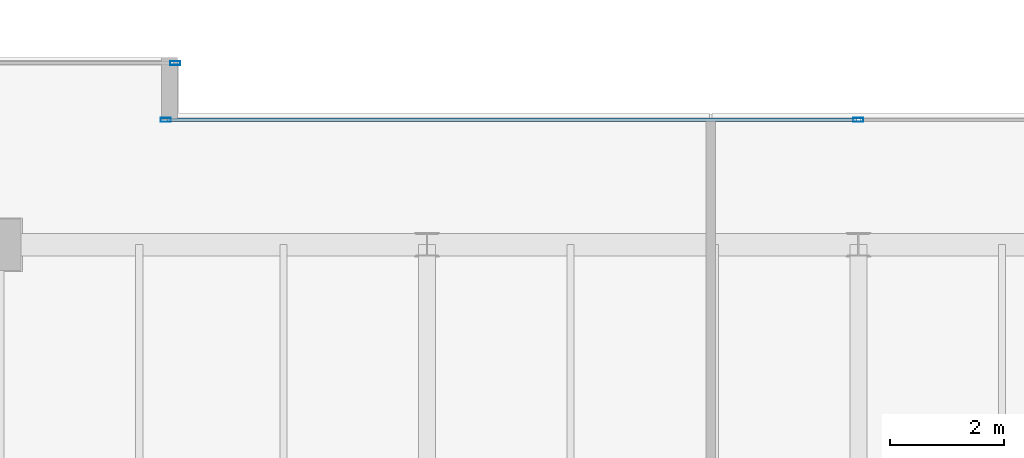
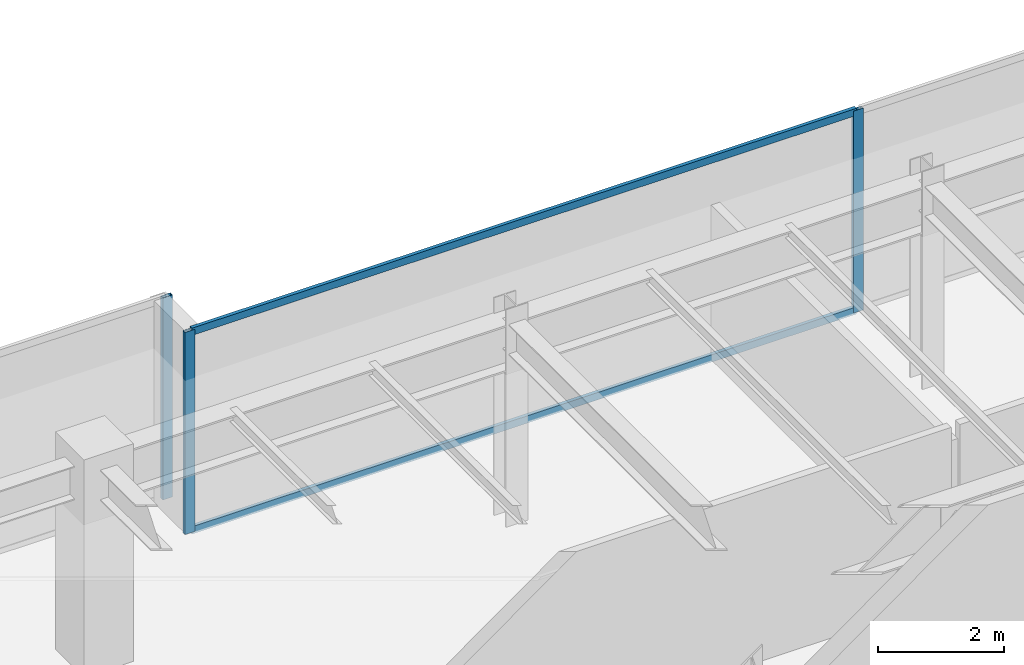
# One storey, part 21 of 32: 5 members, 2 elements without a shape of their own.
"""IFC4 building model written with IfcOpenShell, lengths in metres."""

from ifc_helpers import new_model, si_unit, direction, frame, origin, origin_2d, place, context, subcontext, project, spatial, hollow_rectangle, extrude, source, transform, mapped, material, layer, layer_set, material_profile, profile_set, type_object, type_shapes, element, aggregate, save


model = new_model("IFC4")

# Units and contexts
model_context = context("Model", 3, precision=1e-05, world=origin(), true_north=direction((0.0, 1.0)))
body_context = subcontext(model_context, "Body", "Model", "MODEL_VIEW")
ifc_project = project(units=[si_unit("LENGTHUNIT", "METRE"), si_unit("AREAUNIT", "SQUARE_METRE"), si_unit("VOLUMEUNIT", "CUBIC_METRE"), si_unit("PLANEANGLEUNIT", "RADIAN"), si_unit("MASSUNIT", "GRAM", prefix="KILO")], contexts=[model_context])

# Site, building, storey
site_placement = place(None, origin())
site = spatial("IfcSite", under=ifc_project, at=site_placement, CompositionType="ELEMENT")
building_placement = place(site_placement, origin())
building = spatial("IfcBuilding", under=site, at=building_placement, Name="Haelvirn Gate Laboratories", CompositionType="ELEMENT")
storey_placement = place(building_placement, frame((0.0, 0.0, 306.0)))
storey = spatial("IfcBuildingStorey", under=building, at=storey_placement, Name="L73", CompositionType="ELEMENT", Elevation=306.0)

# Curtain wall, members
ifc_material_1 = material(Name="Anodised bronze unitised aluminium & triple low-E glass", Category="aluminium")
ifc_layer = layer(ifc_material_1, 0.176025390625, Name="CW-SYS-4")
ifc_layer_set = layer_set([ifc_layer], Name="Anodised bronze unitised aluminium & triple low-E glass")
curtain_wall_type = type_object("IfcCurtainWallType", Name="CW-SYS-4", PredefinedType="NOTDEFINED", material=ifc_layer_set)
curtain_wall_1_placement = place(storey_placement, origin())
curtain_wall_1 = element("IfcCurtainWall", 1, at=curtain_wall_1_placement, inside=storey, type_object=curtain_wall_type, Name="L73 Unitised Curtain Wall CW-L73-P0-E12-1", PredefinedType="NOTDEFINED")
ifc_material_2 = material(Name="Extruded aluminium 6063-T6 (anodised bronze)", Category="aluminium")
ifc_material_profile_1 = material_profile(ifc_material_2, hollow_rectangle(XDim=0.06494140625, YDim=0.139892578125, WallThickness=0.00390625, at=origin_2d()), Name="CWT-140x65x4")
ifc_profile_set_1 = profile_set([ifc_material_profile_1], Name="Extruded aluminium 6063-T6 (anodised bronze)")
member_type_1 = type_object("IfcMemberType", Name="CWT-T140", PredefinedType="USERDEFINED", material=ifc_profile_set_1)
shared_shape_1 = source(origin(), body_context, "Body", "SweptSolid", [
    extrude(hollow_rectangle(XDim=0.06494140625, YDim=0.139892578125, WallThickness=0.00390625, at=origin_2d()), origin(), (0.0, 0.0, 1.0), 12.135009765625),
])
type_shapes(member_type_1, [shared_shape_1])
member_1_placement = place(storey_placement, frame((25.22998046875, 43.800048828125, 0.032470703125), z_axis=(1.0, 0.0, 0.0), x_axis=(0.0, 1.0, 0.0)))
member_1 = element("IfcMember", 2, at=member_1_placement, type_object=member_type_1, Name="CW4 transom 1.1", ObjectType="TRANSOM", PredefinedType="USERDEFINED", context=body_context, shape_type="MappedRepresentation", body=[
    mapped(shared_shape_1, transform((0.0, 0.0, 0.0), scale=1.0)),
])
member_2_placement = place(storey_placement, frame((25.22998046875, 43.800048828125, 3.867431640625), z_axis=(1.0, 0.0, 0.0), x_axis=(0.0, 1.0, 0.0)))
member_2 = element("IfcMember", 3, at=member_2_placement, type_object=member_type_1, Name="CW4 transom 1.2", ObjectType="TRANSOM", PredefinedType="USERDEFINED", context=body_context, shape_type="MappedRepresentation", body=[
    mapped(shared_shape_1, transform((0.0, 0.0, 0.0), scale=1.0)),
])
ifc_material_profile_2 = material_profile(ifc_material_2, hollow_rectangle(XDim=0.070068359375, YDim=0.179931640625, WallThickness=0.0048828125, at=origin_2d()), Name="CWM-180x70x5")
ifc_profile_set_2 = profile_set([ifc_material_profile_2], Name="Extruded aluminium 6063-T6 (anodised bronze)")
member_type_2 = type_object("IfcMemberType", Name="CWM-T180", PredefinedType="MULLION", material=ifc_profile_set_2)
shared_shape_2 = source(origin(), body_context, "Body", "SweptSolid", [
    extrude(hollow_rectangle(XDim=0.070068359375, YDim=0.179931640625, WallThickness=0.0048828125, at=origin_2d()), origin(), (0.0, 0.0, 1.0), 3.89990234375),
])
type_shapes(member_type_2, [shared_shape_2])
member_3_placement = place(storey_placement, frame((25.195068359375, 43.800048828125, 0.0), z_axis=(0.0, 0.0, 1.0), x_axis=(0.0, 1.0, 0.0)))
member_3 = element("IfcMember", 4, at=member_3_placement, type_object=member_type_2, Name="CW4 mullion 1", PredefinedType="MULLION", context=body_context, shape_type="MappedRepresentation", body=[
    mapped(shared_shape_2, transform((0.0, 0.0, 0.0), scale=1.0)),
])
member_4_placement = place(storey_placement, frame((37.39990234375, 43.800048828125, 0.0), z_axis=(0.0, 0.0, 1.0), x_axis=(0.0, 1.0, 0.0)))
member_4 = element("IfcMember", 5, at=member_4_placement, type_object=member_type_2, Name="CW4 mullion 2", PredefinedType="MULLION", context=body_context, shape_type="MappedRepresentation", body=[
    mapped(shared_shape_2, transform((0.0, 0.0, 0.0), scale=1.0)),
])
aggregate(curtain_wall_1, [member_3, member_4, member_1, member_2])

# Curtain wall, member
curtain_wall_2_placement = place(storey_placement, origin())
curtain_wall_2 = element("IfcCurtainWall", 6, at=curtain_wall_2_placement, inside=storey, type_object=curtain_wall_type, Name="L73 Unitised Curtain Wall CW-L73-P0-E14-1", PredefinedType="NOTDEFINED")
member_5_placement = place(storey_placement, frame((25.364990234375, 44.800048828125, 0.0), z_axis=(0.0, 0.0, 1.0), x_axis=(0.0, 1.0, 0.0)))
member_5 = element("IfcMember", 7, at=member_5_placement, type_object=member_type_2, Name="CW4 mullion 3", PredefinedType="MULLION", context=body_context, shape_type="MappedRepresentation", body=[
    mapped(shared_shape_2, transform((0.0, 0.0, 0.0), scale=1.0)),
])
aggregate(curtain_wall_2, [member_5])

save(model, "model.ifc")
